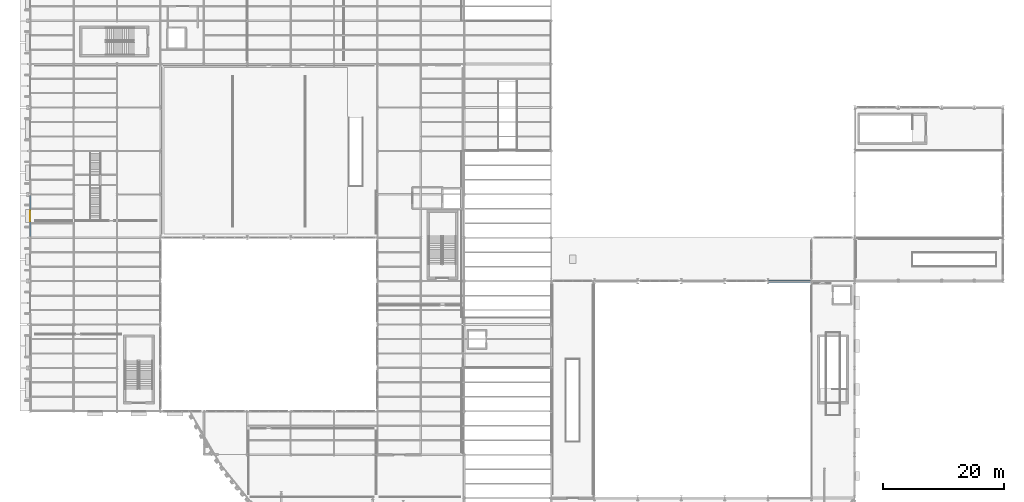
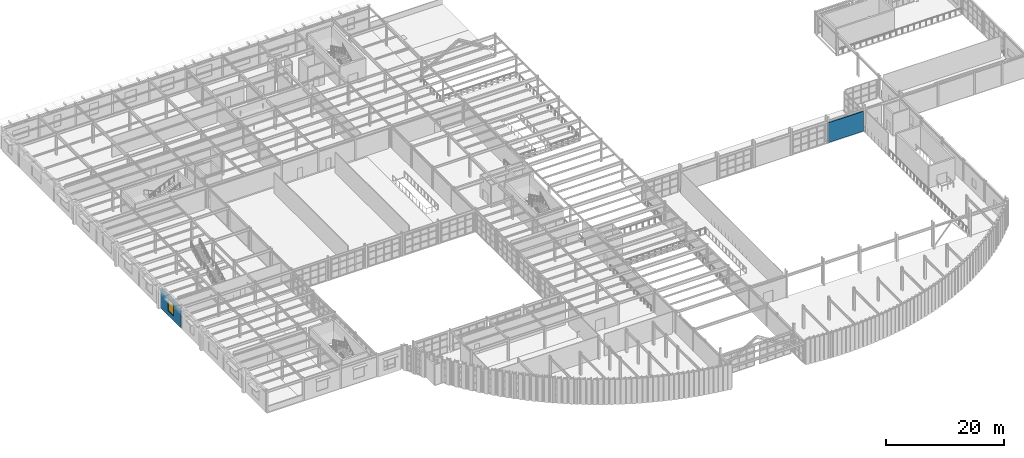
# One storey, part 105 of 126: 2 walls, 1 window, 1 opening.
"""IFC4 building model written with IfcOpenShell, lengths in metres."""

import ifcopenshell
import ifcopenshell.guid

model = None  # the IFC model being written
_history = None  # IfcOwnerHistory: only IFC2X3 demands one
_inside = {}  # id of a spatial element -> (the spatial element, [elements in it])
_under = {}  # id of a project, library or spatial element -> (it, [spatial elements below it])
_declared = {}  # id of a project -> (the project, [libraries it declares])
_typed = {}  # id of a type object -> (the type object, [elements of that type])
_made_of = {}  # id of a material, layer set ... -> (it, [elements and type objects made of it])


def new_model(schema):
    """Start an empty IFC model of exactly this schema.

    Asked for "IFC4X3", IfcOpenShell would pick the latest addendum, in which some entities
    have other attributes; the version numbers below select the first issue.
    IFC2X3 requires an IfcOwnerHistory on every rooted entity: one is made here for all.
    """
    global model, _history
    if schema == "IFC4X3":
        model = ifcopenshell.file(schema_version=(4, 3, 0, 0))
    else:
        model = ifcopenshell.file(schema=schema)
    _inside.clear()
    _under.clear()
    _declared.clear()
    _typed.clear()
    _made_of.clear()
    _history = None
    if model.schema == "IFC2X3":
        org = make("IfcOrganization", Name="unknown")
        user = make(
            "IfcPersonAndOrganization",
            ThePerson=make("IfcPerson", FamilyName="unknown"),
            TheOrganization=org,
        )
        app = make(
            "IfcApplication",
            ApplicationDeveloper=org,
            Version="unknown",
            ApplicationFullName="unknown",
            ApplicationIdentifier="unknown",
        )
        _history = make(
            "IfcOwnerHistory",
            OwningUser=user,
            OwningApplication=app,
            ChangeAction="ADDED",
            CreationDate=0,
        )
    return model


def make(cls, **values):
    """One entity of the class cls with the attributes given. An attribute that is None is left unset."""
    return model.create_entity(
        cls, **{name: value for name, value in values.items() if value is not None}
    )


def rooted(cls, **values):
    """An entity with a GlobalId (a new one), such as an element, a storey or a relation."""
    return make(cls, GlobalId=ifcopenshell.guid.new(), OwnerHistory=_history, **values)


def si_unit(unit_type, name, prefix=None):
    """IfcSIUnit, for example si_unit("LENGTHUNIT", "METRE", prefix="MILLI")."""
    return make("IfcSIUnit", UnitType=unit_type, Prefix=prefix, Name=name)


def assignment(units):
    """IfcUnitAssignment: the units of a project."""
    return None if units is None else make("IfcUnitAssignment", Units=units)


def point(xyz):
    """IfcCartesianPoint."""
    return None if xyz is None else make("IfcCartesianPoint", Coordinates=xyz)


def direction(xyz):
    """IfcDirection."""
    return None if xyz is None else make("IfcDirection", DirectionRatios=xyz)


def frame(location, z_axis=None, x_axis=None):
    """IfcAxis2Placement3D, a coordinate frame: its origin and axes. An axis left out is left unset."""
    return make(
        "IfcAxis2Placement3D",
        Location=point(location),
        Axis=direction(z_axis),
        RefDirection=direction(x_axis),
    )


def frame_2d(location, x_axis=None):
    """IfcAxis2Placement2D, a coordinate frame in the plane: its origin and x axis."""
    return make(
        "IfcAxis2Placement2D", Location=point(location), RefDirection=direction(x_axis)
    )


def origin():
    """The frame at (0, 0, 0) with its axes left unset."""
    return frame((0.0, 0.0, 0.0))


def place(relative_to, where):
    """IfcLocalPlacement: puts the frame where relative to a parent placement (None: the world)."""
    return make(
        "IfcLocalPlacement", PlacementRelTo=relative_to, RelativePlacement=where
    )


def context(
    kind, dimensions, precision=None, world=None, true_north=None, identifier=None
):
    """IfcGeometricRepresentationContext, for example the 3D "Model" context."""
    return make(
        "IfcGeometricRepresentationContext",
        ContextIdentifier=identifier,
        ContextType=kind,
        CoordinateSpaceDimension=dimensions,
        Precision=precision,
        WorldCoordinateSystem=world,
        TrueNorth=true_north,
    )


def subcontext(parent, identifier, kind, view, scale=None):
    """IfcGeometricRepresentationSubContext, for example "Body" below "Model"."""
    return make(
        "IfcGeometricRepresentationSubContext",
        ContextIdentifier=identifier,
        ContextType=kind,
        ParentContext=parent,
        TargetScale=scale,
        TargetView=view,
    )


def project(units=None, contexts=None):
    """IfcProject with its units and contexts."""
    return rooted(
        "IfcProject",
        Name="project",
        RepresentationContexts=contexts,
        UnitsInContext=assignment(units),
    )


def spatial(cls, under=None, at=None, **own):
    """A site, building, storey or space (cls), placed at a placement, below another one or the project."""
    s = rooted(cls, ObjectPlacement=at, **own)
    if under is not None:
        _under.setdefault(under.id(), (under, []))[1].append(s)
    return s


def profile(cls, at=None, kind="AREA", **sizes):
    """A parametric profile (cls). Its sizes go by their IFC names, for example OverallWidth=200.0."""
    return make(cls, ProfileType=kind, Position=at, **sizes)


def rectangle(**sizes):
    """IfcRectangleProfileDef."""
    return profile("IfcRectangleProfileDef", **sizes)


def extrude(swept, where, along, depth):
    """IfcExtrudedAreaSolid: the profile swept, set in the frame where, extruded along a direction by depth."""
    return make(
        "IfcExtrudedAreaSolid",
        SweptArea=swept,
        Position=where,
        ExtrudedDirection=direction(along),
        Depth=depth,
    )


def shape(context_of_items, identifier, shape_type, items):
    """IfcShapeRepresentation: the items that make up one representation, for example the "Body"."""
    return make(
        "IfcShapeRepresentation",
        ContextOfItems=context_of_items,
        RepresentationIdentifier=identifier,
        RepresentationType=shape_type,
        Items=items,
    )


def material(Name=None, Category=None):
    """IfcMaterial."""
    return make("IfcMaterial", Name=Name, Category=Category)


def layer(
    of_material, thickness, ventilated=None, Name=None, Category=None, Priority=None
):
    """IfcMaterialLayer: one layer of a wall or slab, of a material (None: an air gap)."""
    return make(
        "IfcMaterialLayer",
        Material=of_material,
        LayerThickness=thickness,
        IsVentilated=ventilated,
        Name=Name,
        Category=Category,
        Priority=Priority,
    )


def layer_set(layers, Name=None):
    """IfcMaterialLayerSet."""
    return make("IfcMaterialLayerSet", MaterialLayers=layers, LayerSetName=Name)


def made_of(thing, what):
    """Note that an element or type object is made of a material, layer set ...; save() writes the relation."""
    if what is not None:
        _made_of.setdefault(what.id(), (what, []))[1].append(thing)
    return thing


def type_object(cls, material=None, **own):
    """A type object (cls), such as IfcWallType, which elements share."""
    return made_of(rooted(cls, **own), material)


def element(
    cls,
    number,
    at=None,
    inside=None,
    cuts=None,
    type_object=None,
    material=None,
    context=None,
    identifier="Body",
    shape_type=None,
    held_by="IfcProductDefinitionShape",
    body=None,
    shapes=None,
    **own,
):
    """One element of the class cls, such as IfcWall. Its Tag is "e" and its number.

    at: its placement. inside: the storey or other place that contains it. cuts: it is an
    opening in that element (IfcRelVoidsElement). A single representation is given by context,
    identifier, shape_type and body (its items); several are given by shapes. held_by: the class
    of the entity that holds the representations. save() writes the other relations.
    """
    e = rooted(cls, Tag="e%d" % number, ObjectPlacement=at, **own)
    if body is not None:
        shapes = [shape(context, identifier, shape_type, body)]
    if shapes is not None:
        e.Representation = make(held_by, Representations=shapes)
    if inside is not None:
        _inside.setdefault(inside.id(), (inside, []))[1].append(e)
    if cuts is not None:
        rooted(
            "IfcRelVoidsElement", RelatingBuildingElement=cuts, RelatedOpeningElement=e
        )
    if type_object is not None:
        _typed.setdefault(type_object.id(), (type_object, []))[1].append(e)
    return made_of(e, material)


def fill(opening, filler):
    """IfcRelFillsElement: the door or window that sits in an opening."""
    return rooted(
        "IfcRelFillsElement",
        RelatingOpeningElement=opening,
        RelatedBuildingElement=filler,
    )


def aggregate(whole, parts):
    """IfcRelAggregates: a whole, such as a stair, and the parts it consists of."""
    return rooted("IfcRelAggregates", RelatingObject=whole, RelatedObjects=parts)


def save(model, path):
    """Write the relations noted so far, then the file.

    IfcRelAggregates (storeys below a building ...), IfcRelContainedInSpatialStructure (elements
    in a storey), IfcRelDefinesByType, IfcRelAssociatesMaterial and IfcRelDeclares: one each for
    every whole, place, type object, material and project.
    """
    for whole, parts in _under.values():
        aggregate(whole, parts)
    for where, things in _inside.values():
        rooted(
            "IfcRelContainedInSpatialStructure",
            RelatedElements=things,
            RelatingStructure=where,
        )
    for kind, things in _typed.values():
        rooted("IfcRelDefinesByType", RelatedObjects=things, RelatingType=kind)
    for what, things in _made_of.values():
        rooted("IfcRelAssociatesMaterial", RelatedObjects=things, RelatingMaterial=what)
    for by, libraries in _declared.values():
        rooted("IfcRelDeclares", RelatingContext=by, RelatedDefinitions=libraries)
    model.write(path)


model = new_model("IFC4")

# Units and contexts
model_context = context("Model", 3, precision=1e-05, world=origin(), true_north=direction((0.0, 1.0)))
body_context = subcontext(model_context, "Body", "Model", "MODEL_VIEW")
ifc_project = project(units=[si_unit("LENGTHUNIT", "METRE"), si_unit("AREAUNIT", "SQUARE_METRE"), si_unit("VOLUMEUNIT", "CUBIC_METRE"), si_unit("PLANEANGLEUNIT", "RADIAN"), si_unit("MASSUNIT", "GRAM", prefix="KILO")], contexts=[model_context])

# Site, building, storey
site_placement = place(None, origin())
site = spatial("IfcSite", under=ifc_project, at=site_placement, CompositionType="ELEMENT")
building_placement = place(site_placement, origin())
building = spatial("IfcBuilding", under=site, at=building_placement, Name="Solvadek Multi-Sports Hall", CompositionType="ELEMENT")
storey_placement = place(building_placement, frame((0.0, 0.0, 9.60009765625)))
storey = spatial("IfcBuildingStorey", under=building, at=storey_placement, Name="L02", CompositionType="ELEMENT", Elevation=9.60009765625)

# Wall, opening, window
ifc_material_1 = material(Name="Dressed honey-cream limestone ashlar", Category="masonry")
ifc_layer = layer(ifc_material_1, 0.300048828125, Name="Dressed honey-cream limestone ashlar")
ifc_layer_set = layer_set([ifc_layer], Name="Dressed honey-cream limestone ashlar")
wall_type = type_object("IfcWallType", Name="ENV-WAL-EXT300", PredefinedType="SOLIDWALL", material=ifc_layer_set)
wall_1_placement = place(storey_placement, frame((0.0, 49.384033203125, 0.0), z_axis=(0.0, 0.0, 1.0), x_axis=(0.0, 1.0, 0.0)))
wall_1 = element("IfcWall", 1, at=wall_1_placement, inside=storey, type_object=wall_type, Name="L02 Exterior Masonry Wall #143", PredefinedType="SOLIDWALL", context=body_context, shape_type="SweptSolid", body=[
    extrude(rectangle(XDim=6.83203125, YDim=0.300048828125, at=frame_2d((3.416015625, 0.0))), origin(), (0.0, 0.0, 1.0), 4.14501953125),
])
opening_placement = place(wall_1_placement, frame((2.51611328125, 0.0, 1.0)))
opening = element("IfcOpeningElement", 2, at=opening_placement, cuts=wall_1, Name="Opening WN-17", PredefinedType="OPENING", context=body_context, shape_type="SweptSolid", body=[
    extrude(rectangle(XDim=1.800048828125, YDim=2.39990234375, at=frame_2d((0.89990234375, 1.199951171875))), frame((0.0, 0.159912109375, 0.0), z_axis=(0.0, -1.0, 0.0), x_axis=(1.0, 0.0, 0.0)), (0.0, 0.0, 1.0), 0.320068359375),
])
ifc_material_2 = material(Name="Tempered laminated low-E glass", Category="glass")
window_type = type_object("IfcWindowType", Name="ENV-WIN-WN-17", PartitioningType="SINGLE_PANEL", PredefinedType="WINDOW", material=ifc_material_2)
window_placement = place(opening_placement, origin())
window = element("IfcWindow", 3, at=window_placement, inside=storey, type_object=window_type, Name="L02 Facade Window WN-17 #32", OverallHeight=2.39990234375, OverallWidth=1.800048828125, PartitioningType="SINGLE_PANEL", PredefinedType="WINDOW", context=body_context, shape_type="SweptSolid", body=[
    extrude(rectangle(XDim=1.800048828125, YDim=2.39990234375, at=frame_2d((0.89990234375, 1.199951171875))), frame((0.0, 0.030029296875, 0.0), z_axis=(0.0, -1.0, 0.0), x_axis=(1.0, 0.0, 0.0)), (0.0, 0.0, 1.0), 0.06005859375),
])
fill(opening, window)

# Wall
wall_2_placement = place(storey_placement, frame((122.553955078125, 42.0, 0.0), z_axis=(0.0, 0.0, 1.0), x_axis=(1.0, 0.0, 0.0)))
element("IfcWall", 4, at=wall_2_placement, inside=storey, type_object=wall_type, Name="L02 Exterior Masonry Wall #229", PredefinedType="SOLIDWALL", context=body_context, shape_type="SweptSolid", body=[
    extrude(rectangle(XDim=6.89208984375, YDim=0.300048828125, at=frame_2d((3.446044921875, 0.0))), origin(), (0.0, 0.0, 1.0), 4.14501953125),
])

save(model, "model.ifc")
